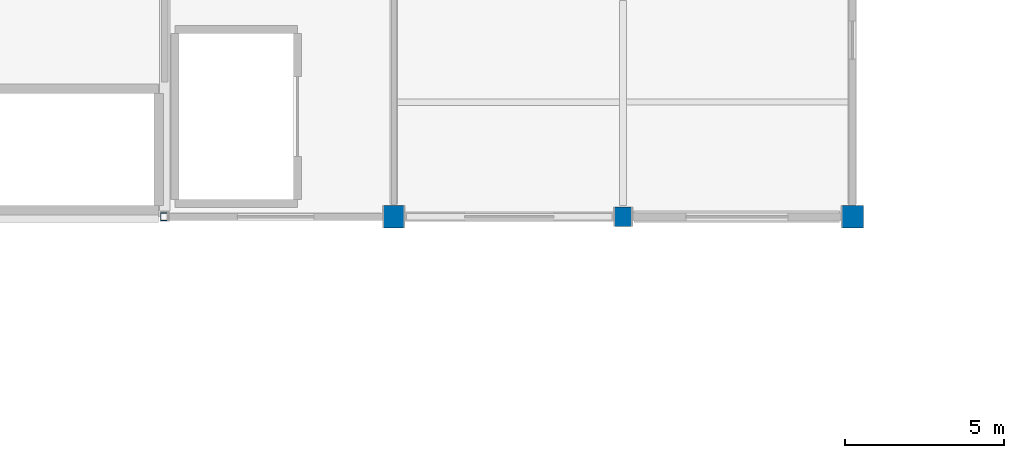
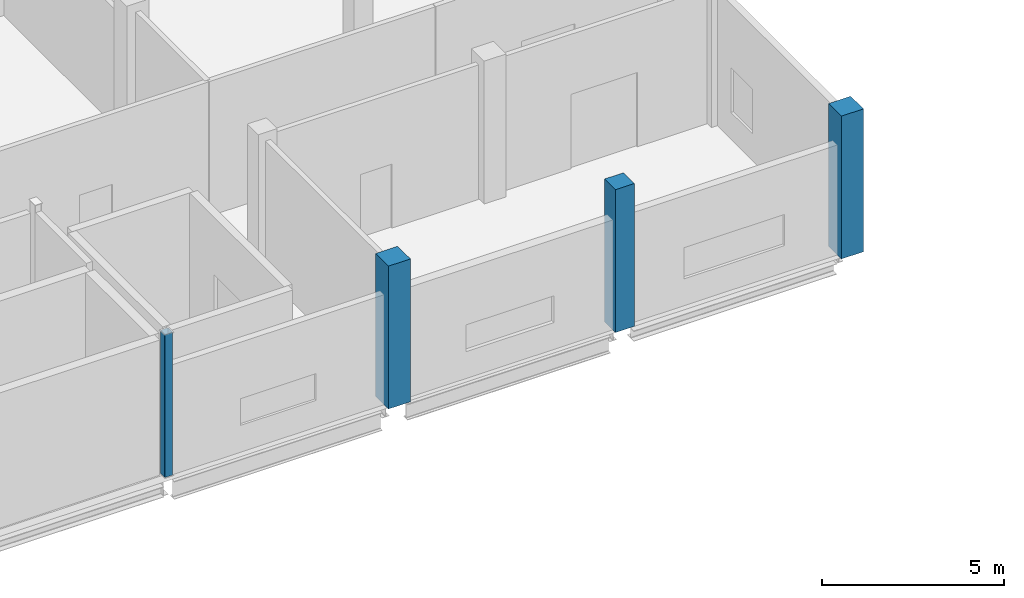
# One storey, part 9 of 72: 4 columns.
"""IFC4 building model written with IfcOpenShell, lengths in metres."""

from ifc_helpers import new_model, si_unit, direction, frame, origin, origin_2d, place, context, subcontext, project, spatial, rectangle, hollow_rectangle, extrude, material, material_profile, profile_set, type_object, element, save


model = new_model("IFC4")

# Units and contexts
model_context = context("Model", 3, precision=1e-05, world=origin(), true_north=direction((0.0, 1.0)))
body_context = subcontext(model_context, "Body", "Model", "MODEL_VIEW")
ifc_project = project(units=[si_unit("LENGTHUNIT", "METRE"), si_unit("AREAUNIT", "SQUARE_METRE"), si_unit("VOLUMEUNIT", "CUBIC_METRE"), si_unit("PLANEANGLEUNIT", "RADIAN"), si_unit("MASSUNIT", "GRAM", prefix="KILO")], contexts=[model_context])

# Site, building, storey
site_placement = place(None, origin())
site = spatial("IfcSite", under=ifc_project, at=site_placement, CompositionType="ELEMENT")
building_placement = place(site_placement, origin())
building = spatial("IfcBuilding", under=site, at=building_placement, Name="Calvrana Isthmian Art Gallery", CompositionType="ELEMENT")
storey_placement = place(building_placement, frame((0.0, 0.0, 15.0)))
storey = spatial("IfcBuildingStorey", under=building, at=storey_placement, Name="L03", CompositionType="ELEMENT", Elevation=15.0)

# Columns
ifc_material_1 = material(Name="Concrete C40/50", Category="concrete")
ifc_material_profile_1 = material_profile(ifc_material_1, rectangle(XDim=0.60009765625, YDim=0.60009765625, at=origin_2d()), Name="RC600X600")
ifc_profile_set_1 = profile_set([ifc_material_profile_1], Name="Concrete C40/50")
column_type_1 = type_object("IfcColumnType", Name="COL-RC-RC600X600", PredefinedType="COLUMN", material=ifc_profile_set_1)
column_1_placement = place(storey_placement, frame((127.199951171875, 76.800048828125, 0.0), z_axis=(0.0, 0.0, 1.0), x_axis=(1.0, 0.0, 0.0)))
element("IfcColumn", 1, at=column_1_placement, inside=storey, type_object=column_type_1, Name="Column 17/K L03", PredefinedType="COLUMN", context=body_context, shape_type="SweptSolid", body=[
    extrude(rectangle(XDim=0.60009765625, YDim=0.60009765625, at=origin_2d()), origin(), (0.0, 0.0, 1.0), 4.800048828125),
])
ifc_material_profile_2 = material_profile(ifc_material_1, rectangle(XDim=0.699951171875, YDim=0.699951171875, at=origin_2d()), Name="RC700X700")
ifc_profile_set_2 = profile_set([ifc_material_profile_2], Name="Concrete C40/50")
column_type_2 = type_object("IfcColumnType", Name="COL-RC-RC700X700", PredefinedType="COLUMN", material=ifc_profile_set_2)
for number, where, z_axis, x_axis, name in (
    (2, (120.0, 76.800048828125, 0.0), (0.0, 0.0, 1.0), (1.0, 0.0, 0.0), "Column 16/K L03"),
    (3, (134.39990234375, 76.800048828125, 0.0), (0.0, 0.0, 1.0), (1.0, 0.0, 0.0), "Column 18/K L03"),
):
    element("IfcColumn", number, at=place(storey_placement, frame(where, z_axis=z_axis, x_axis=x_axis)), inside=storey, type_object=column_type_2, Name=name, PredefinedType="COLUMN", context=body_context, shape_type="SweptSolid", body=[
        extrude(rectangle(XDim=0.699951171875, YDim=0.699951171875, at=origin_2d()), origin(), (0.0, 0.0, 1.0), 4.800048828125),
    ])
ifc_material_2 = material(Name="Steel ASTM A500 Gr C", Category="steel")
ifc_material_profile_3 = material_profile(ifc_material_2, hollow_rectangle(XDim=0.25390625, YDim=0.25390625, WallThickness=0.0126953125, OuterFilletRadius=0.02490234375, at=origin_2d()), Name="HSS254X254X12.7")
ifc_profile_set_3 = profile_set([ifc_material_profile_3], Name="Steel ASTM A500 Gr C")
column_type_3 = type_object("IfcColumnType", Name="COL-STL-HSS254X254X12.7", PredefinedType="COLUMN", material=ifc_profile_set_3)
column_2_placement = place(storey_placement, frame((112.800048828125, 76.800048828125, 0.0), z_axis=(0.0, 0.0, 1.0), x_axis=(1.0, 0.0, 0.0)))
element("IfcColumn", 4, at=column_2_placement, inside=storey, type_object=column_type_3, Name="Column 15/K L03", PredefinedType="COLUMN", context=body_context, shape_type="SweptSolid", body=[
    extrude(hollow_rectangle(XDim=0.25390625, YDim=0.25390625, WallThickness=0.0126953125, OuterFilletRadius=0.02490234375, at=origin_2d()), origin(), (0.0, 0.0, 1.0), 4.800048828125),
])

save(model, "model.ifc")
